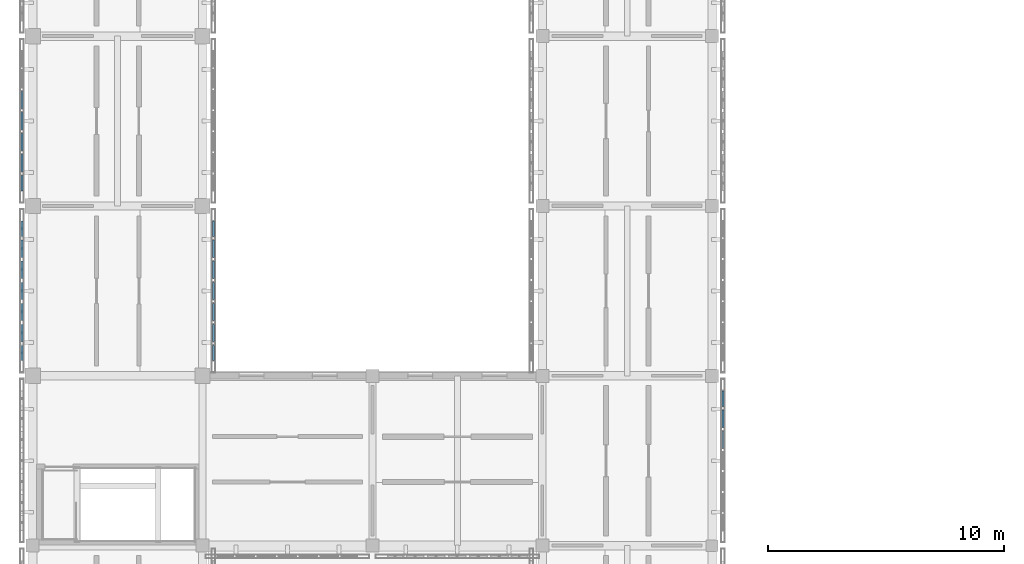
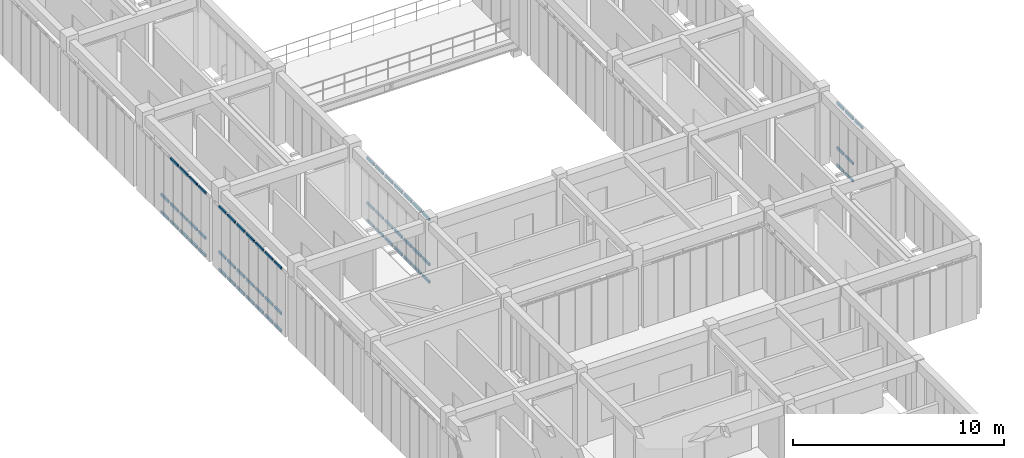
# One storey, part 25 of 91: 63 members, 4 elements without a shape of their own.
"""IFC4 building model written with IfcOpenShell, lengths in metres."""

from ifc_helpers import new_model, si_unit, direction, frame, origin, origin_2d, place, context, subcontext, project, spatial, hollow_rectangle, extrude, material, material_profile, profile_set, type_object, element, aggregate, save


model = new_model("IFC4")

# Units and contexts
model_context = context("Model", 3, precision=1e-05, world=origin(), true_north=direction((0.0, 1.0)))
body_context = subcontext(model_context, "Body", "Model", "MODEL_VIEW")
ifc_project = project(units=[si_unit("LENGTHUNIT", "METRE"), si_unit("AREAUNIT", "SQUARE_METRE"), si_unit("VOLUMEUNIT", "CUBIC_METRE"), si_unit("PLANEANGLEUNIT", "RADIAN"), si_unit("MASSUNIT", "GRAM", prefix="KILO")], contexts=[model_context])

# Site, building, storey
site_placement = place(None, origin())
site = spatial("IfcSite", under=ifc_project, at=site_placement, CompositionType="ELEMENT")
building_placement = place(site_placement, origin())
building = spatial("IfcBuilding", under=site, at=building_placement, Name="Aldebral Square Health Centre", CompositionType="ELEMENT")
storey_placement = place(building_placement, frame((0.0, 0.0, 9.0)))
storey = spatial("IfcBuildingStorey", under=building, at=storey_placement, Name="L02", CompositionType="ELEMENT", Elevation=9.0)

# Curtain wall, members
ifc_material_1 = material(Name="Aluminium and low-E solar glass", Category="aluminium")
curtain_wall_type = type_object("IfcCurtainWallType", Name="CW-FIN-SYS", PredefinedType="USERDEFINED", material=ifc_material_1)
curtain_wall_1_placement = place(storey_placement, origin())
curtain_wall_1 = element("IfcCurtainWall", 1, at=curtain_wall_1_placement, inside=storey, type_object=curtain_wall_type, Name="L02 V4 finned curtain wall L02-V4-00-09-W", ObjectType="SOLAR_CURTAIN_WALL", PredefinedType="USERDEFINED")
ifc_material_2 = material(Name="Anodised aluminium transom", Category="aluminium")
ifc_material_profile = material_profile(ifc_material_2, hollow_rectangle(XDim=0.074951171875, YDim=0.14990234375, WallThickness=0.00390625, at=origin_2d()), Name="CWT 75x150x4")
ifc_profile_set = profile_set([ifc_material_profile], Name="Anodised aluminium transom")
member_type = type_object("IfcMemberType", Name="CWT-STD", PredefinedType="USERDEFINED", material=ifc_profile_set)
member_1_placement = place(storey_placement, frame((-0.4599609375, 71.360107421875, 0.03759765625), z_axis=(0.0, -1.0, 0.0), x_axis=(1.0, 0.0, 0.0)))
member_1 = element("IfcMember", 2, at=member_1_placement, type_object=member_type, Name="CW1 transom 1.1", ObjectType="TRANSOM", PredefinedType="USERDEFINED", context=body_context, shape_type="SweptSolid", body=[
    extrude(hollow_rectangle(XDim=0.074951171875, YDim=0.14990234375, WallThickness=0.00390625, at=origin_2d()), origin(), (0.0, 0.0, 1.0), 0.651611328125),
])
member_2_placement = place(storey_placement, frame((-0.4599609375, 71.360107421875, 1.050048828125), z_axis=(0.0, -1.0, 0.0), x_axis=(1.0, 0.0, 0.0)))
member_2 = element("IfcMember", 3, at=member_2_placement, type_object=member_type, Name="CW1 transom 1.2", ObjectType="TRANSOM", PredefinedType="USERDEFINED", context=body_context, shape_type="SweptSolid", body=[
    extrude(hollow_rectangle(XDim=0.074951171875, YDim=0.14990234375, WallThickness=0.00390625, at=origin_2d()), origin(), (0.0, 0.0, 1.0), 0.651611328125),
])
member_3_placement = place(storey_placement, frame((-0.4599609375, 71.360107421875, 3.652587890625), z_axis=(0.0, -1.0, 0.0), x_axis=(1.0, 0.0, 0.0)))
member_3 = element("IfcMember", 4, at=member_3_placement, type_object=member_type, Name="CW1 transom 1.3", ObjectType="TRANSOM", PredefinedType="USERDEFINED", context=body_context, shape_type="SweptSolid", body=[
    extrude(hollow_rectangle(XDim=0.074951171875, YDim=0.14990234375, WallThickness=0.00390625, at=origin_2d()), origin(), (0.0, 0.0, 1.0), 0.651611328125),
])
member_4_placement = place(storey_placement, frame((-0.4599609375, 70.548583984375, 0.03759765625), z_axis=(0.0, -1.0, 0.0), x_axis=(1.0, 0.0, 0.0)))
member_4 = element("IfcMember", 5, at=member_4_placement, type_object=member_type, Name="CW1 transom 2.1", ObjectType="TRANSOM", PredefinedType="USERDEFINED", context=body_context, shape_type="SweptSolid", body=[
    extrude(hollow_rectangle(XDim=0.074951171875, YDim=0.14990234375, WallThickness=0.00390625, at=origin_2d()), origin(), (0.0, 0.0, 1.0), 0.7314453125),
])
member_5_placement = place(storey_placement, frame((-0.4599609375, 70.548583984375, 1.050048828125), z_axis=(0.0, -1.0, 0.0), x_axis=(1.0, 0.0, 0.0)))
member_5 = element("IfcMember", 6, at=member_5_placement, type_object=member_type, Name="CW1 transom 2.2", ObjectType="TRANSOM", PredefinedType="USERDEFINED", context=body_context, shape_type="SweptSolid", body=[
    extrude(hollow_rectangle(XDim=0.074951171875, YDim=0.14990234375, WallThickness=0.00390625, at=origin_2d()), origin(), (0.0, 0.0, 1.0), 0.7314453125),
])
member_6_placement = place(storey_placement, frame((-0.4599609375, 70.548583984375, 3.652587890625), z_axis=(0.0, -1.0, 0.0), x_axis=(1.0, 0.0, 0.0)))
member_6 = element("IfcMember", 7, at=member_6_placement, type_object=member_type, Name="CW1 transom 2.3", ObjectType="TRANSOM", PredefinedType="USERDEFINED", context=body_context, shape_type="SweptSolid", body=[
    extrude(hollow_rectangle(XDim=0.074951171875, YDim=0.14990234375, WallThickness=0.00390625, at=origin_2d()), origin(), (0.0, 0.0, 1.0), 0.7314453125),
])
member_7_placement = place(storey_placement, frame((-0.4599609375, 69.6572265625, 0.03759765625), z_axis=(0.0, -1.0, 0.0), x_axis=(1.0, 0.0, 0.0)))
member_7 = element("IfcMember", 8, at=member_7_placement, type_object=member_type, Name="CW1 transom 3.1", ObjectType="TRANSOM", PredefinedType="USERDEFINED", context=body_context, shape_type="SweptSolid", body=[
    extrude(hollow_rectangle(XDim=0.074951171875, YDim=0.14990234375, WallThickness=0.00390625, at=origin_2d()), origin(), (0.0, 0.0, 1.0), 0.7314453125),
])
member_8_placement = place(storey_placement, frame((-0.4599609375, 69.6572265625, 1.050048828125), z_axis=(0.0, -1.0, 0.0), x_axis=(1.0, 0.0, 0.0)))
member_8 = element("IfcMember", 9, at=member_8_placement, type_object=member_type, Name="CW1 transom 3.2", ObjectType="TRANSOM", PredefinedType="USERDEFINED", context=body_context, shape_type="SweptSolid", body=[
    extrude(hollow_rectangle(XDim=0.074951171875, YDim=0.14990234375, WallThickness=0.00390625, at=origin_2d()), origin(), (0.0, 0.0, 1.0), 0.7314453125),
])
member_9_placement = place(storey_placement, frame((-0.4599609375, 69.6572265625, 3.652587890625), z_axis=(0.0, -1.0, 0.0), x_axis=(1.0, 0.0, 0.0)))
member_9 = element("IfcMember", 10, at=member_9_placement, type_object=member_type, Name="CW1 transom 3.3", ObjectType="TRANSOM", PredefinedType="USERDEFINED", context=body_context, shape_type="SweptSolid", body=[
    extrude(hollow_rectangle(XDim=0.074951171875, YDim=0.14990234375, WallThickness=0.00390625, at=origin_2d()), origin(), (0.0, 0.0, 1.0), 0.7314453125),
])
member_10_placement = place(storey_placement, frame((-0.4599609375, 68.765625, 0.03759765625), z_axis=(0.0, -1.0, 0.0), x_axis=(1.0, 0.0, 0.0)))
member_10 = element("IfcMember", 11, at=member_10_placement, type_object=member_type, Name="CW1 transom 4.1", ObjectType="TRANSOM", PredefinedType="USERDEFINED", context=body_context, shape_type="SweptSolid", body=[
    extrude(hollow_rectangle(XDim=0.074951171875, YDim=0.14990234375, WallThickness=0.00390625, at=origin_2d()), origin(), (0.0, 0.0, 1.0), 0.7314453125),
])
member_11_placement = place(storey_placement, frame((-0.4599609375, 68.765625, 1.050048828125), z_axis=(0.0, -1.0, 0.0), x_axis=(1.0, 0.0, 0.0)))
member_11 = element("IfcMember", 12, at=member_11_placement, type_object=member_type, Name="CW1 transom 4.2", ObjectType="TRANSOM", PredefinedType="USERDEFINED", context=body_context, shape_type="SweptSolid", body=[
    extrude(hollow_rectangle(XDim=0.074951171875, YDim=0.14990234375, WallThickness=0.00390625, at=origin_2d()), origin(), (0.0, 0.0, 1.0), 0.7314453125),
])
member_12_placement = place(storey_placement, frame((-0.4599609375, 68.765625, 3.652587890625), z_axis=(0.0, -1.0, 0.0), x_axis=(1.0, 0.0, 0.0)))
member_12 = element("IfcMember", 13, at=member_12_placement, type_object=member_type, Name="CW1 transom 4.3", ObjectType="TRANSOM", PredefinedType="USERDEFINED", context=body_context, shape_type="SweptSolid", body=[
    extrude(hollow_rectangle(XDim=0.074951171875, YDim=0.14990234375, WallThickness=0.00390625, at=origin_2d()), origin(), (0.0, 0.0, 1.0), 0.7314453125),
])
member_13_placement = place(storey_placement, frame((-0.4599609375, 67.874267578125, 0.03759765625), z_axis=(0.0, -1.0, 0.0), x_axis=(1.0, 0.0, 0.0)))
member_13 = element("IfcMember", 14, at=member_13_placement, type_object=member_type, Name="CW1 transom 5.1", ObjectType="TRANSOM", PredefinedType="USERDEFINED", context=body_context, shape_type="SweptSolid", body=[
    extrude(hollow_rectangle(XDim=0.074951171875, YDim=0.14990234375, WallThickness=0.00390625, at=origin_2d()), origin(), (0.0, 0.0, 1.0), 0.7314453125),
])
member_14_placement = place(storey_placement, frame((-0.4599609375, 67.874267578125, 1.050048828125), z_axis=(0.0, -1.0, 0.0), x_axis=(1.0, 0.0, 0.0)))
member_14 = element("IfcMember", 15, at=member_14_placement, type_object=member_type, Name="CW1 transom 5.2", ObjectType="TRANSOM", PredefinedType="USERDEFINED", context=body_context, shape_type="SweptSolid", body=[
    extrude(hollow_rectangle(XDim=0.074951171875, YDim=0.14990234375, WallThickness=0.00390625, at=origin_2d()), origin(), (0.0, 0.0, 1.0), 0.7314453125),
])
member_15_placement = place(storey_placement, frame((-0.4599609375, 67.874267578125, 3.652587890625), z_axis=(0.0, -1.0, 0.0), x_axis=(1.0, 0.0, 0.0)))
member_15 = element("IfcMember", 16, at=member_15_placement, type_object=member_type, Name="CW1 transom 5.3", ObjectType="TRANSOM", PredefinedType="USERDEFINED", context=body_context, shape_type="SweptSolid", body=[
    extrude(hollow_rectangle(XDim=0.074951171875, YDim=0.14990234375, WallThickness=0.00390625, at=origin_2d()), origin(), (0.0, 0.0, 1.0), 0.7314453125),
])
member_16_placement = place(storey_placement, frame((-0.4599609375, 66.98291015625, 0.03759765625), z_axis=(0.0, -1.0, 0.0), x_axis=(1.0, 0.0, 0.0)))
member_16 = element("IfcMember", 17, at=member_16_placement, type_object=member_type, Name="CW1 transom 6.1", ObjectType="TRANSOM", PredefinedType="USERDEFINED", context=body_context, shape_type="SweptSolid", body=[
    extrude(hollow_rectangle(XDim=0.074951171875, YDim=0.14990234375, WallThickness=0.00390625, at=origin_2d()), origin(), (0.0, 0.0, 1.0), 0.7314453125),
])
member_17_placement = place(storey_placement, frame((-0.4599609375, 66.98291015625, 1.050048828125), z_axis=(0.0, -1.0, 0.0), x_axis=(1.0, 0.0, 0.0)))
member_17 = element("IfcMember", 18, at=member_17_placement, type_object=member_type, Name="CW1 transom 6.2", ObjectType="TRANSOM", PredefinedType="USERDEFINED", context=body_context, shape_type="SweptSolid", body=[
    extrude(hollow_rectangle(XDim=0.074951171875, YDim=0.14990234375, WallThickness=0.00390625, at=origin_2d()), origin(), (0.0, 0.0, 1.0), 0.7314453125),
])
member_18_placement = place(storey_placement, frame((-0.4599609375, 66.98291015625, 3.652587890625), z_axis=(0.0, -1.0, 0.0), x_axis=(1.0, 0.0, 0.0)))
member_18 = element("IfcMember", 19, at=member_18_placement, type_object=member_type, Name="CW1 transom 6.3", ObjectType="TRANSOM", PredefinedType="USERDEFINED", context=body_context, shape_type="SweptSolid", body=[
    extrude(hollow_rectangle(XDim=0.074951171875, YDim=0.14990234375, WallThickness=0.00390625, at=origin_2d()), origin(), (0.0, 0.0, 1.0), 0.7314453125),
])
member_19_placement = place(storey_placement, frame((-0.4599609375, 66.09130859375, 0.03759765625), z_axis=(0.0, -1.0, 0.0), x_axis=(1.0, 0.0, 0.0)))
member_19 = element("IfcMember", 20, at=member_19_placement, type_object=member_type, Name="CW1 transom 7.1", ObjectType="TRANSOM", PredefinedType="USERDEFINED", context=body_context, shape_type="SweptSolid", body=[
    extrude(hollow_rectangle(XDim=0.074951171875, YDim=0.14990234375, WallThickness=0.00390625, at=origin_2d()), origin(), (0.0, 0.0, 1.0), 0.6513671875),
])
member_20_placement = place(storey_placement, frame((-0.4599609375, 66.09130859375, 1.050048828125), z_axis=(0.0, -1.0, 0.0), x_axis=(1.0, 0.0, 0.0)))
member_20 = element("IfcMember", 21, at=member_20_placement, type_object=member_type, Name="CW1 transom 7.2", ObjectType="TRANSOM", PredefinedType="USERDEFINED", context=body_context, shape_type="SweptSolid", body=[
    extrude(hollow_rectangle(XDim=0.074951171875, YDim=0.14990234375, WallThickness=0.00390625, at=origin_2d()), origin(), (0.0, 0.0, 1.0), 0.6513671875),
])
member_21_placement = place(storey_placement, frame((-0.4599609375, 66.09130859375, 3.652587890625), z_axis=(0.0, -1.0, 0.0), x_axis=(1.0, 0.0, 0.0)))
member_21 = element("IfcMember", 22, at=member_21_placement, type_object=member_type, Name="CW1 transom 7.3", ObjectType="TRANSOM", PredefinedType="USERDEFINED", context=body_context, shape_type="SweptSolid", body=[
    extrude(hollow_rectangle(XDim=0.074951171875, YDim=0.14990234375, WallThickness=0.00390625, at=origin_2d()), origin(), (0.0, 0.0, 1.0), 0.6513671875),
])
aggregate(curtain_wall_1, [member_1, member_2, member_3, member_4, member_5, member_6, member_7, member_8, member_9, member_10, member_11, member_12, member_13, member_14, member_15, member_16, member_17, member_18, member_19, member_20, member_21])

curtain_wall_2_placement = place(storey_placement, origin())
curtain_wall_2 = element("IfcCurtainWall", 23, at=curtain_wall_2_placement, inside=storey, type_object=curtain_wall_type, Name="L02 V4 finned curtain wall L02-V4-00-09-E", ObjectType="SOLAR_CURTAIN_WALL", PredefinedType="USERDEFINED")
member_22_placement = place(storey_placement, frame((7.659912109375, 65.43994140625, 0.03759765625), z_axis=(0.0, 1.0, 0.0), x_axis=(-1.0, 0.0, 0.0)))
member_22 = element("IfcMember", 24, at=member_22_placement, type_object=member_type, Name="CW1 transom 1.1", ObjectType="TRANSOM", PredefinedType="USERDEFINED", context=body_context, shape_type="SweptSolid", body=[
    extrude(hollow_rectangle(XDim=0.074951171875, YDim=0.14990234375, WallThickness=0.00390625, at=origin_2d()), origin(), (0.0, 0.0, 1.0), 0.6513671875),
])
member_23_placement = place(storey_placement, frame((7.659912109375, 65.43994140625, 1.050048828125), z_axis=(0.0, 1.0, 0.0), x_axis=(-1.0, 0.0, 0.0)))
member_23 = element("IfcMember", 25, at=member_23_placement, type_object=member_type, Name="CW1 transom 1.2", ObjectType="TRANSOM", PredefinedType="USERDEFINED", context=body_context, shape_type="SweptSolid", body=[
    extrude(hollow_rectangle(XDim=0.074951171875, YDim=0.14990234375, WallThickness=0.00390625, at=origin_2d()), origin(), (0.0, 0.0, 1.0), 0.6513671875),
])
member_24_placement = place(storey_placement, frame((7.659912109375, 65.43994140625, 3.652587890625), z_axis=(0.0, 1.0, 0.0), x_axis=(-1.0, 0.0, 0.0)))
member_24 = element("IfcMember", 26, at=member_24_placement, type_object=member_type, Name="CW1 transom 1.3", ObjectType="TRANSOM", PredefinedType="USERDEFINED", context=body_context, shape_type="SweptSolid", body=[
    extrude(hollow_rectangle(XDim=0.074951171875, YDim=0.14990234375, WallThickness=0.00390625, at=origin_2d()), origin(), (0.0, 0.0, 1.0), 0.6513671875),
])
member_25_placement = place(storey_placement, frame((7.659912109375, 66.25146484375, 0.03759765625), z_axis=(0.0, 1.0, 0.0), x_axis=(-1.0, 0.0, 0.0)))
member_25 = element("IfcMember", 27, at=member_25_placement, type_object=member_type, Name="CW1 transom 2.1", ObjectType="TRANSOM", PredefinedType="USERDEFINED", context=body_context, shape_type="SweptSolid", body=[
    extrude(hollow_rectangle(XDim=0.074951171875, YDim=0.14990234375, WallThickness=0.00390625, at=origin_2d()), origin(), (0.0, 0.0, 1.0), 0.7314453125),
])
member_26_placement = place(storey_placement, frame((7.659912109375, 66.25146484375, 1.050048828125), z_axis=(0.0, 1.0, 0.0), x_axis=(-1.0, 0.0, 0.0)))
member_26 = element("IfcMember", 28, at=member_26_placement, type_object=member_type, Name="CW1 transom 2.2", ObjectType="TRANSOM", PredefinedType="USERDEFINED", context=body_context, shape_type="SweptSolid", body=[
    extrude(hollow_rectangle(XDim=0.074951171875, YDim=0.14990234375, WallThickness=0.00390625, at=origin_2d()), origin(), (0.0, 0.0, 1.0), 0.7314453125),
])
member_27_placement = place(storey_placement, frame((7.659912109375, 66.25146484375, 3.652587890625), z_axis=(0.0, 1.0, 0.0), x_axis=(-1.0, 0.0, 0.0)))
member_27 = element("IfcMember", 29, at=member_27_placement, type_object=member_type, Name="CW1 transom 2.3", ObjectType="TRANSOM", PredefinedType="USERDEFINED", context=body_context, shape_type="SweptSolid", body=[
    extrude(hollow_rectangle(XDim=0.074951171875, YDim=0.14990234375, WallThickness=0.00390625, at=origin_2d()), origin(), (0.0, 0.0, 1.0), 0.7314453125),
])
member_28_placement = place(storey_placement, frame((7.659912109375, 67.142822265625, 0.03759765625), z_axis=(0.0, 1.0, 0.0), x_axis=(-1.0, 0.0, 0.0)))
member_28 = element("IfcMember", 30, at=member_28_placement, type_object=member_type, Name="CW1 transom 3.1", ObjectType="TRANSOM", PredefinedType="USERDEFINED", context=body_context, shape_type="SweptSolid", body=[
    extrude(hollow_rectangle(XDim=0.074951171875, YDim=0.14990234375, WallThickness=0.00390625, at=origin_2d()), origin(), (0.0, 0.0, 1.0), 0.7314453125),
])
member_29_placement = place(storey_placement, frame((7.659912109375, 67.142822265625, 1.050048828125), z_axis=(0.0, 1.0, 0.0), x_axis=(-1.0, 0.0, 0.0)))
member_29 = element("IfcMember", 31, at=member_29_placement, type_object=member_type, Name="CW1 transom 3.2", ObjectType="TRANSOM", PredefinedType="USERDEFINED", context=body_context, shape_type="SweptSolid", body=[
    extrude(hollow_rectangle(XDim=0.074951171875, YDim=0.14990234375, WallThickness=0.00390625, at=origin_2d()), origin(), (0.0, 0.0, 1.0), 0.7314453125),
])
member_30_placement = place(storey_placement, frame((7.659912109375, 67.142822265625, 3.652587890625), z_axis=(0.0, 1.0, 0.0), x_axis=(-1.0, 0.0, 0.0)))
member_30 = element("IfcMember", 32, at=member_30_placement, type_object=member_type, Name="CW1 transom 3.3", ObjectType="TRANSOM", PredefinedType="USERDEFINED", context=body_context, shape_type="SweptSolid", body=[
    extrude(hollow_rectangle(XDim=0.074951171875, YDim=0.14990234375, WallThickness=0.00390625, at=origin_2d()), origin(), (0.0, 0.0, 1.0), 0.7314453125),
])
member_31_placement = place(storey_placement, frame((7.659912109375, 68.0341796875, 0.03759765625), z_axis=(0.0, 1.0, 0.0), x_axis=(-1.0, 0.0, 0.0)))
member_31 = element("IfcMember", 33, at=member_31_placement, type_object=member_type, Name="CW1 transom 4.1", ObjectType="TRANSOM", PredefinedType="USERDEFINED", context=body_context, shape_type="SweptSolid", body=[
    extrude(hollow_rectangle(XDim=0.074951171875, YDim=0.14990234375, WallThickness=0.00390625, at=origin_2d()), origin(), (0.0, 0.0, 1.0), 0.7314453125),
])
member_32_placement = place(storey_placement, frame((7.659912109375, 68.0341796875, 1.050048828125), z_axis=(0.0, 1.0, 0.0), x_axis=(-1.0, 0.0, 0.0)))
member_32 = element("IfcMember", 34, at=member_32_placement, type_object=member_type, Name="CW1 transom 4.2", ObjectType="TRANSOM", PredefinedType="USERDEFINED", context=body_context, shape_type="SweptSolid", body=[
    extrude(hollow_rectangle(XDim=0.074951171875, YDim=0.14990234375, WallThickness=0.00390625, at=origin_2d()), origin(), (0.0, 0.0, 1.0), 0.7314453125),
])
member_33_placement = place(storey_placement, frame((7.659912109375, 68.0341796875, 3.652587890625), z_axis=(0.0, 1.0, 0.0), x_axis=(-1.0, 0.0, 0.0)))
member_33 = element("IfcMember", 35, at=member_33_placement, type_object=member_type, Name="CW1 transom 4.3", ObjectType="TRANSOM", PredefinedType="USERDEFINED", context=body_context, shape_type="SweptSolid", body=[
    extrude(hollow_rectangle(XDim=0.074951171875, YDim=0.14990234375, WallThickness=0.00390625, at=origin_2d()), origin(), (0.0, 0.0, 1.0), 0.7314453125),
])
member_34_placement = place(storey_placement, frame((7.659912109375, 68.92578125, 0.03759765625), z_axis=(0.0, 1.0, 0.0), x_axis=(-1.0, 0.0, 0.0)))
member_34 = element("IfcMember", 36, at=member_34_placement, type_object=member_type, Name="CW1 transom 5.1", ObjectType="TRANSOM", PredefinedType="USERDEFINED", context=body_context, shape_type="SweptSolid", body=[
    extrude(hollow_rectangle(XDim=0.074951171875, YDim=0.14990234375, WallThickness=0.00390625, at=origin_2d()), origin(), (0.0, 0.0, 1.0), 0.7314453125),
])
member_35_placement = place(storey_placement, frame((7.659912109375, 68.92578125, 1.050048828125), z_axis=(0.0, 1.0, 0.0), x_axis=(-1.0, 0.0, 0.0)))
member_35 = element("IfcMember", 37, at=member_35_placement, type_object=member_type, Name="CW1 transom 5.2", ObjectType="TRANSOM", PredefinedType="USERDEFINED", context=body_context, shape_type="SweptSolid", body=[
    extrude(hollow_rectangle(XDim=0.074951171875, YDim=0.14990234375, WallThickness=0.00390625, at=origin_2d()), origin(), (0.0, 0.0, 1.0), 0.7314453125),
])
member_36_placement = place(storey_placement, frame((7.659912109375, 68.92578125, 3.652587890625), z_axis=(0.0, 1.0, 0.0), x_axis=(-1.0, 0.0, 0.0)))
member_36 = element("IfcMember", 38, at=member_36_placement, type_object=member_type, Name="CW1 transom 5.3", ObjectType="TRANSOM", PredefinedType="USERDEFINED", context=body_context, shape_type="SweptSolid", body=[
    extrude(hollow_rectangle(XDim=0.074951171875, YDim=0.14990234375, WallThickness=0.00390625, at=origin_2d()), origin(), (0.0, 0.0, 1.0), 0.7314453125),
])
member_37_placement = place(storey_placement, frame((7.659912109375, 69.817138671875, 0.03759765625), z_axis=(0.0, 1.0, 0.0), x_axis=(-1.0, 0.0, 0.0)))
member_37 = element("IfcMember", 39, at=member_37_placement, type_object=member_type, Name="CW1 transom 6.1", ObjectType="TRANSOM", PredefinedType="USERDEFINED", context=body_context, shape_type="SweptSolid", body=[
    extrude(hollow_rectangle(XDim=0.074951171875, YDim=0.14990234375, WallThickness=0.00390625, at=origin_2d()), origin(), (0.0, 0.0, 1.0), 0.7314453125),
])
member_38_placement = place(storey_placement, frame((7.659912109375, 69.817138671875, 1.050048828125), z_axis=(0.0, 1.0, 0.0), x_axis=(-1.0, 0.0, 0.0)))
member_38 = element("IfcMember", 40, at=member_38_placement, type_object=member_type, Name="CW1 transom 6.2", ObjectType="TRANSOM", PredefinedType="USERDEFINED", context=body_context, shape_type="SweptSolid", body=[
    extrude(hollow_rectangle(XDim=0.074951171875, YDim=0.14990234375, WallThickness=0.00390625, at=origin_2d()), origin(), (0.0, 0.0, 1.0), 0.7314453125),
])
member_39_placement = place(storey_placement, frame((7.659912109375, 69.817138671875, 3.652587890625), z_axis=(0.0, 1.0, 0.0), x_axis=(-1.0, 0.0, 0.0)))
member_39 = element("IfcMember", 41, at=member_39_placement, type_object=member_type, Name="CW1 transom 6.3", ObjectType="TRANSOM", PredefinedType="USERDEFINED", context=body_context, shape_type="SweptSolid", body=[
    extrude(hollow_rectangle(XDim=0.074951171875, YDim=0.14990234375, WallThickness=0.00390625, at=origin_2d()), origin(), (0.0, 0.0, 1.0), 0.7314453125),
])
member_40_placement = place(storey_placement, frame((7.659912109375, 70.70849609375, 0.03759765625), z_axis=(0.0, 1.0, 0.0), x_axis=(-1.0, 0.0, 0.0)))
member_40 = element("IfcMember", 42, at=member_40_placement, type_object=member_type, Name="CW1 transom 7.1", ObjectType="TRANSOM", PredefinedType="USERDEFINED", context=body_context, shape_type="SweptSolid", body=[
    extrude(hollow_rectangle(XDim=0.074951171875, YDim=0.14990234375, WallThickness=0.00390625, at=origin_2d()), origin(), (0.0, 0.0, 1.0), 0.651611328125),
])
member_41_placement = place(storey_placement, frame((7.659912109375, 70.70849609375, 1.050048828125), z_axis=(0.0, 1.0, 0.0), x_axis=(-1.0, 0.0, 0.0)))
member_41 = element("IfcMember", 43, at=member_41_placement, type_object=member_type, Name="CW1 transom 7.2", ObjectType="TRANSOM", PredefinedType="USERDEFINED", context=body_context, shape_type="SweptSolid", body=[
    extrude(hollow_rectangle(XDim=0.074951171875, YDim=0.14990234375, WallThickness=0.00390625, at=origin_2d()), origin(), (0.0, 0.0, 1.0), 0.651611328125),
])
member_42_placement = place(storey_placement, frame((7.659912109375, 70.70849609375, 3.652587890625), z_axis=(0.0, 1.0, 0.0), x_axis=(-1.0, 0.0, 0.0)))
member_42 = element("IfcMember", 44, at=member_42_placement, type_object=member_type, Name="CW1 transom 7.3", ObjectType="TRANSOM", PredefinedType="USERDEFINED", context=body_context, shape_type="SweptSolid", body=[
    extrude(hollow_rectangle(XDim=0.074951171875, YDim=0.14990234375, WallThickness=0.00390625, at=origin_2d()), origin(), (0.0, 0.0, 1.0), 0.651611328125),
])
aggregate(curtain_wall_2, [member_22, member_23, member_24, member_25, member_26, member_27, member_28, member_29, member_30, member_31, member_32, member_33, member_34, member_35, member_36, member_37, member_38, member_39, member_40, member_41, member_42])

curtain_wall_3_placement = place(storey_placement, origin())
curtain_wall_3 = element("IfcCurtainWall", 45, at=curtain_wall_3_placement, inside=storey, type_object=curtain_wall_type, Name="L02 V4 finned curtain wall L02-V4-00-10-W", ObjectType="SOLAR_CURTAIN_WALL", PredefinedType="USERDEFINED")
member_43_placement = place(storey_placement, frame((-0.4599609375, 76.857177734375, 0.03759765625), z_axis=(0.0, -1.0, 0.0), x_axis=(1.0, 0.0, 0.0)))
member_43 = element("IfcMember", 46, at=member_43_placement, type_object=member_type, Name="CW1 transom 3.1", ObjectType="TRANSOM", PredefinedType="USERDEFINED", context=body_context, shape_type="SweptSolid", body=[
    extrude(hollow_rectangle(XDim=0.074951171875, YDim=0.14990234375, WallThickness=0.00390625, at=origin_2d()), origin(), (0.0, 0.0, 1.0), 0.7314453125),
])
member_44_placement = place(storey_placement, frame((-0.4599609375, 76.857177734375, 1.050048828125), z_axis=(0.0, -1.0, 0.0), x_axis=(1.0, 0.0, 0.0)))
member_44 = element("IfcMember", 47, at=member_44_placement, type_object=member_type, Name="CW1 transom 3.2", ObjectType="TRANSOM", PredefinedType="USERDEFINED", context=body_context, shape_type="SweptSolid", body=[
    extrude(hollow_rectangle(XDim=0.074951171875, YDim=0.14990234375, WallThickness=0.00390625, at=origin_2d()), origin(), (0.0, 0.0, 1.0), 0.7314453125),
])
member_45_placement = place(storey_placement, frame((-0.4599609375, 75.9658203125, 0.03759765625), z_axis=(0.0, -1.0, 0.0), x_axis=(1.0, 0.0, 0.0)))
member_45 = element("IfcMember", 48, at=member_45_placement, type_object=member_type, Name="CW1 transom 4.1", ObjectType="TRANSOM", PredefinedType="USERDEFINED", context=body_context, shape_type="SweptSolid", body=[
    extrude(hollow_rectangle(XDim=0.074951171875, YDim=0.14990234375, WallThickness=0.00390625, at=origin_2d()), origin(), (0.0, 0.0, 1.0), 0.7314453125),
])
member_46_placement = place(storey_placement, frame((-0.4599609375, 75.9658203125, 1.050048828125), z_axis=(0.0, -1.0, 0.0), x_axis=(1.0, 0.0, 0.0)))
member_46 = element("IfcMember", 49, at=member_46_placement, type_object=member_type, Name="CW1 transom 4.2", ObjectType="TRANSOM", PredefinedType="USERDEFINED", context=body_context, shape_type="SweptSolid", body=[
    extrude(hollow_rectangle(XDim=0.074951171875, YDim=0.14990234375, WallThickness=0.00390625, at=origin_2d()), origin(), (0.0, 0.0, 1.0), 0.7314453125),
])
member_47_placement = place(storey_placement, frame((-0.4599609375, 75.9658203125, 3.652587890625), z_axis=(0.0, -1.0, 0.0), x_axis=(1.0, 0.0, 0.0)))
member_47 = element("IfcMember", 50, at=member_47_placement, type_object=member_type, Name="CW1 transom 4.3", ObjectType="TRANSOM", PredefinedType="USERDEFINED", context=body_context, shape_type="SweptSolid", body=[
    extrude(hollow_rectangle(XDim=0.074951171875, YDim=0.14990234375, WallThickness=0.00390625, at=origin_2d()), origin(), (0.0, 0.0, 1.0), 0.7314453125),
])
member_48_placement = place(storey_placement, frame((-0.4599609375, 75.07421875, 0.03759765625), z_axis=(0.0, -1.0, 0.0), x_axis=(1.0, 0.0, 0.0)))
member_48 = element("IfcMember", 51, at=member_48_placement, type_object=member_type, Name="CW1 transom 5.1", ObjectType="TRANSOM", PredefinedType="USERDEFINED", context=body_context, shape_type="SweptSolid", body=[
    extrude(hollow_rectangle(XDim=0.074951171875, YDim=0.14990234375, WallThickness=0.00390625, at=origin_2d()), origin(), (0.0, 0.0, 1.0), 0.7314453125),
])
member_49_placement = place(storey_placement, frame((-0.4599609375, 75.07421875, 1.050048828125), z_axis=(0.0, -1.0, 0.0), x_axis=(1.0, 0.0, 0.0)))
member_49 = element("IfcMember", 52, at=member_49_placement, type_object=member_type, Name="CW1 transom 5.2", ObjectType="TRANSOM", PredefinedType="USERDEFINED", context=body_context, shape_type="SweptSolid", body=[
    extrude(hollow_rectangle(XDim=0.074951171875, YDim=0.14990234375, WallThickness=0.00390625, at=origin_2d()), origin(), (0.0, 0.0, 1.0), 0.7314453125),
])
member_50_placement = place(storey_placement, frame((-0.4599609375, 75.07421875, 3.652587890625), z_axis=(0.0, -1.0, 0.0), x_axis=(1.0, 0.0, 0.0)))
member_50 = element("IfcMember", 53, at=member_50_placement, type_object=member_type, Name="CW1 transom 5.3", ObjectType="TRANSOM", PredefinedType="USERDEFINED", context=body_context, shape_type="SweptSolid", body=[
    extrude(hollow_rectangle(XDim=0.074951171875, YDim=0.14990234375, WallThickness=0.00390625, at=origin_2d()), origin(), (0.0, 0.0, 1.0), 0.7314453125),
])
member_51_placement = place(storey_placement, frame((-0.4599609375, 74.182861328125, 0.03759765625), z_axis=(0.0, -1.0, 0.0), x_axis=(1.0, 0.0, 0.0)))
member_51 = element("IfcMember", 54, at=member_51_placement, type_object=member_type, Name="CW1 transom 6.1", ObjectType="TRANSOM", PredefinedType="USERDEFINED", context=body_context, shape_type="SweptSolid", body=[
    extrude(hollow_rectangle(XDim=0.074951171875, YDim=0.14990234375, WallThickness=0.00390625, at=origin_2d()), origin(), (0.0, 0.0, 1.0), 0.7314453125),
])
member_52_placement = place(storey_placement, frame((-0.4599609375, 74.182861328125, 1.050048828125), z_axis=(0.0, -1.0, 0.0), x_axis=(1.0, 0.0, 0.0)))
member_52 = element("IfcMember", 55, at=member_52_placement, type_object=member_type, Name="CW1 transom 6.2", ObjectType="TRANSOM", PredefinedType="USERDEFINED", context=body_context, shape_type="SweptSolid", body=[
    extrude(hollow_rectangle(XDim=0.074951171875, YDim=0.14990234375, WallThickness=0.00390625, at=origin_2d()), origin(), (0.0, 0.0, 1.0), 0.7314453125),
])
member_53_placement = place(storey_placement, frame((-0.4599609375, 74.182861328125, 3.652587890625), z_axis=(0.0, -1.0, 0.0), x_axis=(1.0, 0.0, 0.0)))
member_53 = element("IfcMember", 56, at=member_53_placement, type_object=member_type, Name="CW1 transom 6.3", ObjectType="TRANSOM", PredefinedType="USERDEFINED", context=body_context, shape_type="SweptSolid", body=[
    extrude(hollow_rectangle(XDim=0.074951171875, YDim=0.14990234375, WallThickness=0.00390625, at=origin_2d()), origin(), (0.0, 0.0, 1.0), 0.7314453125),
])
member_54_placement = place(storey_placement, frame((-0.4599609375, 73.29150390625, 0.03759765625), z_axis=(0.0, -1.0, 0.0), x_axis=(1.0, 0.0, 0.0)))
member_54 = element("IfcMember", 57, at=member_54_placement, type_object=member_type, Name="CW1 transom 7.1", ObjectType="TRANSOM", PredefinedType="USERDEFINED", context=body_context, shape_type="SweptSolid", body=[
    extrude(hollow_rectangle(XDim=0.074951171875, YDim=0.14990234375, WallThickness=0.00390625, at=origin_2d()), origin(), (0.0, 0.0, 1.0), 0.651611328125),
])
member_55_placement = place(storey_placement, frame((-0.4599609375, 73.29150390625, 1.050048828125), z_axis=(0.0, -1.0, 0.0), x_axis=(1.0, 0.0, 0.0)))
member_55 = element("IfcMember", 58, at=member_55_placement, type_object=member_type, Name="CW1 transom 7.2", ObjectType="TRANSOM", PredefinedType="USERDEFINED", context=body_context, shape_type="SweptSolid", body=[
    extrude(hollow_rectangle(XDim=0.074951171875, YDim=0.14990234375, WallThickness=0.00390625, at=origin_2d()), origin(), (0.0, 0.0, 1.0), 0.651611328125),
])
member_56_placement = place(storey_placement, frame((-0.4599609375, 73.29150390625, 3.652587890625), z_axis=(0.0, -1.0, 0.0), x_axis=(1.0, 0.0, 0.0)))
member_56 = element("IfcMember", 59, at=member_56_placement, type_object=member_type, Name="CW1 transom 7.3", ObjectType="TRANSOM", PredefinedType="USERDEFINED", context=body_context, shape_type="SweptSolid", body=[
    extrude(hollow_rectangle(XDim=0.074951171875, YDim=0.14990234375, WallThickness=0.00390625, at=origin_2d()), origin(), (0.0, 0.0, 1.0), 0.651611328125),
])
aggregate(curtain_wall_3, [member_43, member_44, member_45, member_46, member_47, member_48, member_49, member_50, member_51, member_52, member_53, member_54, member_55, member_56])

curtain_wall_4_placement = place(storey_placement, origin())
curtain_wall_4 = element("IfcCurtainWall", 60, at=curtain_wall_4_placement, inside=storey, type_object=curtain_wall_type, Name="L02 V4 finned curtain wall L02-V4-03-08-E", ObjectType="SOLAR_CURTAIN_WALL", PredefinedType="USERDEFINED")
member_57_placement = place(storey_placement, frame((29.260009765625, 61.725830078125, 3.652587890625), z_axis=(0.0, 1.0, 0.0), x_axis=(-1.0, 0.0, 0.0)))
member_57 = element("IfcMember", 61, at=member_57_placement, type_object=member_type, Name="CW1 transom 5.3", ObjectType="TRANSOM", PredefinedType="USERDEFINED", context=body_context, shape_type="SweptSolid", body=[
    extrude(hollow_rectangle(XDim=0.074951171875, YDim=0.14990234375, WallThickness=0.00390625, at=origin_2d()), origin(), (0.0, 0.0, 1.0), 0.731201171875),
])
member_58_placement = place(storey_placement, frame((29.260009765625, 62.6171875, 0.03759765625), z_axis=(0.0, 1.0, 0.0), x_axis=(-1.0, 0.0, 0.0)))
member_58 = element("IfcMember", 62, at=member_58_placement, type_object=member_type, Name="CW1 transom 6.1", ObjectType="TRANSOM", PredefinedType="USERDEFINED", context=body_context, shape_type="SweptSolid", body=[
    extrude(hollow_rectangle(XDim=0.074951171875, YDim=0.14990234375, WallThickness=0.00390625, at=origin_2d()), origin(), (0.0, 0.0, 1.0), 0.7314453125),
])
member_59_placement = place(storey_placement, frame((29.260009765625, 62.6171875, 1.050048828125), z_axis=(0.0, 1.0, 0.0), x_axis=(-1.0, 0.0, 0.0)))
member_59 = element("IfcMember", 63, at=member_59_placement, type_object=member_type, Name="CW1 transom 6.2", ObjectType="TRANSOM", PredefinedType="USERDEFINED", context=body_context, shape_type="SweptSolid", body=[
    extrude(hollow_rectangle(XDim=0.074951171875, YDim=0.14990234375, WallThickness=0.00390625, at=origin_2d()), origin(), (0.0, 0.0, 1.0), 0.7314453125),
])
member_60_placement = place(storey_placement, frame((29.260009765625, 62.6171875, 3.652587890625), z_axis=(0.0, 1.0, 0.0), x_axis=(-1.0, 0.0, 0.0)))
member_60 = element("IfcMember", 64, at=member_60_placement, type_object=member_type, Name="CW1 transom 6.3", ObjectType="TRANSOM", PredefinedType="USERDEFINED", context=body_context, shape_type="SweptSolid", body=[
    extrude(hollow_rectangle(XDim=0.074951171875, YDim=0.14990234375, WallThickness=0.00390625, at=origin_2d()), origin(), (0.0, 0.0, 1.0), 0.7314453125),
])
member_61_placement = place(storey_placement, frame((29.260009765625, 63.508544921875, 0.03759765625), z_axis=(0.0, 1.0, 0.0), x_axis=(-1.0, 0.0, 0.0)))
member_61 = element("IfcMember", 65, at=member_61_placement, type_object=member_type, Name="CW1 transom 7.1", ObjectType="TRANSOM", PredefinedType="USERDEFINED", context=body_context, shape_type="SweptSolid", body=[
    extrude(hollow_rectangle(XDim=0.074951171875, YDim=0.14990234375, WallThickness=0.00390625, at=origin_2d()), origin(), (0.0, 0.0, 1.0), 0.6513671875),
])
member_62_placement = place(storey_placement, frame((29.260009765625, 63.508544921875, 1.050048828125), z_axis=(0.0, 1.0, 0.0), x_axis=(-1.0, 0.0, 0.0)))
member_62 = element("IfcMember", 66, at=member_62_placement, type_object=member_type, Name="CW1 transom 7.2", ObjectType="TRANSOM", PredefinedType="USERDEFINED", context=body_context, shape_type="SweptSolid", body=[
    extrude(hollow_rectangle(XDim=0.074951171875, YDim=0.14990234375, WallThickness=0.00390625, at=origin_2d()), origin(), (0.0, 0.0, 1.0), 0.6513671875),
])
member_63_placement = place(storey_placement, frame((29.260009765625, 63.508544921875, 3.652587890625), z_axis=(0.0, 1.0, 0.0), x_axis=(-1.0, 0.0, 0.0)))
member_63 = element("IfcMember", 67, at=member_63_placement, type_object=member_type, Name="CW1 transom 7.3", ObjectType="TRANSOM", PredefinedType="USERDEFINED", context=body_context, shape_type="SweptSolid", body=[
    extrude(hollow_rectangle(XDim=0.074951171875, YDim=0.14990234375, WallThickness=0.00390625, at=origin_2d()), origin(), (0.0, 0.0, 1.0), 0.6513671875),
])
aggregate(curtain_wall_4, [member_57, member_58, member_59, member_60, member_61, member_62, member_63])

save(model, "model.ifc")
